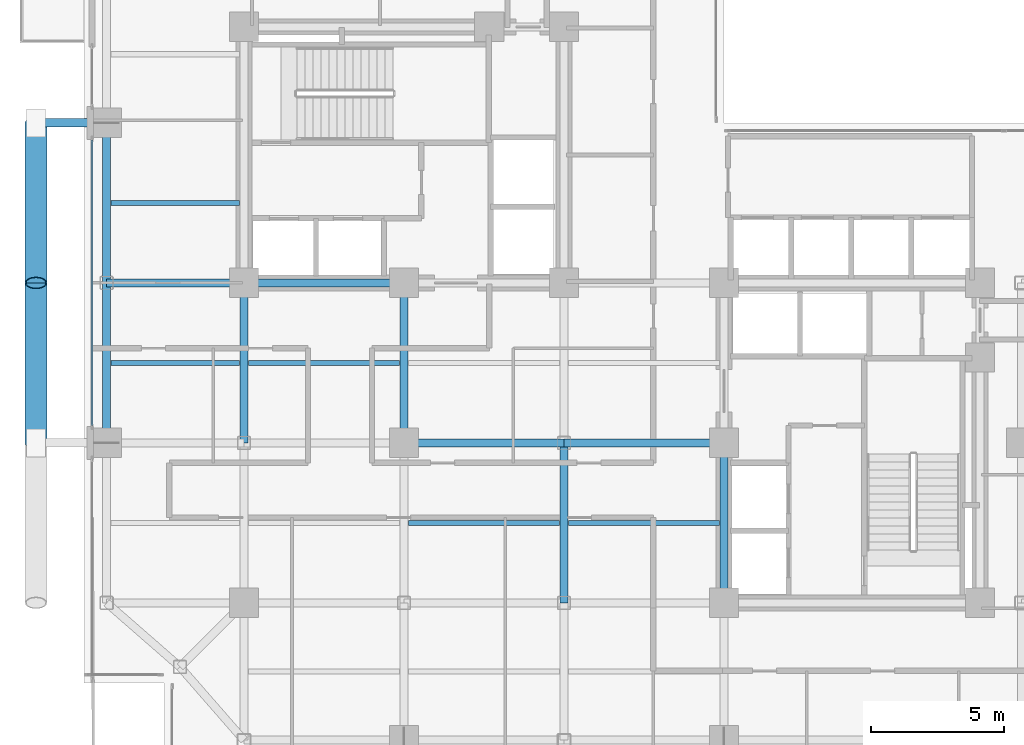
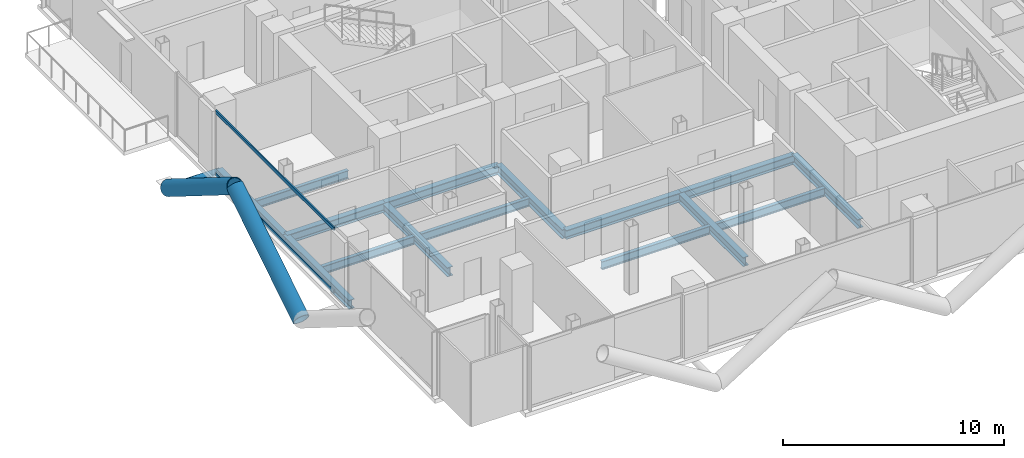
# One storey, part 6 of 28: 15 beams, 5 members, 1 element without a shape of its own.
"""IFC4 building model written with IfcOpenShell, lengths in metres."""

from ifc_helpers import new_model, si_unit, direction, frame, origin, origin_2d, place, context, subcontext, project, spatial, hollow_rectangle, hollow_circle, i_section, extrude, material, layer, layer_set, material_profile, profile_set, type_object, element, aggregate, save


model = new_model("IFC4")

# Units and contexts
model_context = context("Model", 3, precision=1e-05, world=origin(), true_north=direction((0.0, 1.0)))
body_context = subcontext(model_context, "Body", "Model", "MODEL_VIEW")
ifc_project = project(units=[si_unit("LENGTHUNIT", "METRE"), si_unit("AREAUNIT", "SQUARE_METRE"), si_unit("VOLUMEUNIT", "CUBIC_METRE"), si_unit("PLANEANGLEUNIT", "RADIAN"), si_unit("MASSUNIT", "GRAM", prefix="KILO"), si_unit("THERMODYNAMICTEMPERATUREUNIT", "KELVIN"), si_unit("POWERUNIT", "WATT")], contexts=[model_context])

# Site, building, storey
site_placement = place(None, origin())
site = spatial("IfcSite", under=ifc_project, at=site_placement, CompositionType="ELEMENT")
building_placement = place(site_placement, origin())
building = spatial("IfcBuilding", under=site, at=building_placement, Name="Svarakhadi Broadcast Tower", CompositionType="ELEMENT")
storey_placement = place(building_placement, frame((0.0, 0.0, 138.14990234375)))
storey = spatial("IfcBuildingStorey", under=building, at=storey_placement, Name="L33", CompositionType="ELEMENT", Elevation=138.14990234375)

# Beams
ifc_material_1 = material(Name="Steel S355J2 (IS 2062 E350C)", Category="steel")
ifc_material_profile_1 = material_profile(ifc_material_1, i_section(OverallWidth=0.18994140625, OverallDepth=0.449951171875, WebThickness=0.009521484375, FlangeThickness=0.0146484375, FilletRadius=0.02099609375, at=origin_2d()), Name="NPB 450x190x78")
ifc_profile_set_1 = profile_set([ifc_material_profile_1], Name="Steel S355J2 (IS 2062 E350C)")
beam_type_1 = type_object("IfcBeamType", Name="Beam_NPB450", PredefinedType="BEAM", material=ifc_profile_set_1)
for number, where, z_axis, x_axis, name in (
    (1, (1.010009765625, 15.0, -0.449951171875), (1.0, 0.0, 0.0), (0.0, 1.0, 0.0), "L33 Secondary Composite Beam SB002"),
    (2, (1.010009765625, 21.0, -0.449951171875), (1.0, 0.0, 0.0), (0.0, 1.0, 0.0), "L33 Secondary Composite Beam SB003"),
):
    element("IfcBeam", number, at=place(storey_placement, frame(where, z_axis=z_axis, x_axis=x_axis)), inside=storey, type_object=beam_type_1, Name=name, PredefinedType="BEAM", context=body_context, shape_type="SweptSolid", body=[
        extrude(i_section(OverallWidth=0.18994140625, OverallDepth=0.449951171875, WebThickness=0.009521484375, FlangeThickness=0.0146484375, FilletRadius=0.02099609375, at=origin_2d()), origin(), (0.0, 0.0, 1.0), 4.830078125),
    ])
for number, where, z_axis, x_axis, name in (
    (3, (6.159912109375, 15.0, -0.449951171875), (1.0, 0.0, 0.0), (0.0, 1.0, 0.0), "L33 Secondary Composite Beam SB008"),
    (4, (12.159912109375, 9.0, -0.449951171875), (1.0, 0.0, 0.0), (0.0, 1.0, 0.0), "L33 Secondary Composite Beam SB012"),
    (5, (18.159912109375, 9.0, -0.449951171875), (1.0, 0.0, 0.0), (0.0, 1.0, 0.0), "L33 Secondary Composite Beam SB017"),
):
    element("IfcBeam", number, at=place(storey_placement, frame(where, z_axis=z_axis, x_axis=x_axis)), inside=storey, type_object=beam_type_1, Name=name, PredefinedType="BEAM", context=body_context, shape_type="SweptSolid", body=[
        extrude(i_section(OverallWidth=0.18994140625, OverallDepth=0.449951171875, WebThickness=0.009521484375, FlangeThickness=0.0146484375, FilletRadius=0.02099609375, at=origin_2d()), origin(), (0.0, 0.0, 1.0), 5.68017578125),
    ])

# Curtain wall, members
ifc_material_2 = material(Name="Anodised Bronze Aluminium AA 6063-T6", Category="aluminium")
ifc_layer = layer(ifc_material_2, 0.199951171875)
ifc_layer_set = layer_set([ifc_layer], Name="Anodised Bronze Aluminium AA 6063-T6")
curtain_wall_type = type_object("IfcCurtainWallType", Name="CW_Sys_03", PredefinedType="NOTDEFINED", material=ifc_layer_set)
curtain_wall_placement = place(storey_placement, origin())
curtain_wall = element("IfcCurtainWall", 6, at=curtain_wall_placement, inside=storey, type_object=curtain_wall_type, Name="L33 West Curtain Wall 02 Bay 2", PredefinedType="NOTDEFINED")
ifc_material_profile_2 = material_profile(ifc_material_2, hollow_rectangle(XDim=0.070068359375, YDim=0.18505859375, WallThickness=0.0048828125, at=origin_2d()), Name="ALU TRANSOM 185x70x5")
ifc_profile_set_2 = profile_set([ifc_material_profile_2], Name="Anodised Bronze Aluminium AA 6063-T6")
member_type_1 = type_object("IfcMemberType", Name="CW_Sys_03_Trn", PredefinedType="USERDEFINED", material=ifc_profile_set_2)
member_1_placement = place(storey_placement, frame((0.300048828125, 12.64501953125, 0.03515625), z_axis=(0.0, 1.0, 0.0), x_axis=(-1.0, 0.0, 0.0)))
member_1 = element("IfcMember", 7, at=member_1_placement, type_object=member_type_1, Name="CW-03 transom 1.1", ObjectType="TRANSOM", PredefinedType="USERDEFINED", context=body_context, shape_type="SweptSolid", body=[
    extrude(hollow_rectangle(XDim=0.070068359375, YDim=0.18505859375, WallThickness=0.0048828125, at=origin_2d()), origin(), (0.0, 0.0, 1.0), 10.7099609375),
])
member_2_placement = place(storey_placement, frame((0.300048828125, 12.64501953125, 3.489990234375), z_axis=(0.0, 1.0, 0.0), x_axis=(-1.0, 0.0, 0.0)))
member_2 = element("IfcMember", 8, at=member_2_placement, type_object=member_type_1, Name="CW-03 transom 1.2", ObjectType="TRANSOM", PredefinedType="USERDEFINED", context=body_context, shape_type="SweptSolid", body=[
    extrude(hollow_rectangle(XDim=0.070068359375, YDim=0.18505859375, WallThickness=0.0048828125, at=origin_2d()), origin(), (0.0, 0.0, 1.0), 10.7099609375),
])
aggregate(curtain_wall, [member_1, member_2])

# Members
ifc_material_3 = material(Name="Steel S460ML (IS 2062 E450BR)", Category="steel")
ifc_material_profile_3 = material_profile(ifc_material_3, hollow_circle(Radius=0.406494140625, WallThickness=0.0400390625, at=origin_2d()), Name="CHS 813x40")
ifc_profile_set_3 = profile_set([ifc_material_profile_3], Name="Steel S460ML (IS 2062 E450BR)")
member_type_2 = type_object("IfcMemberType", Name="Exo_Brace_CHS813", PredefinedType="BRACE", material=ifc_profile_set_3)
for number, where, z_axis, x_axis, name in (
    (9, (-1.800048828125, 12.0, -0.386962890625), (0.0, 0.847998304005, 0.529998940003), (-1.0, 0.0, 0.0), "L33 Exposed Bronze Exoskeleton Diagonal W06"),
    (10, (-1.800048828125, 24.0, -0.386962890625), (0.0, -0.847998304005, 0.529998940003), (1.0, 0.0, 0.0), "L33 Exposed Bronze Exoskeleton Diagonal W07"),
):
    element("IfcMember", number, at=place(storey_placement, frame(where, z_axis=z_axis, x_axis=x_axis)), inside=storey, type_object=member_type_2, Name=name, PredefinedType="BRACE", context=body_context, shape_type="SweptSolid", body=[
        extrude(hollow_circle(Radius=0.406494140625, WallThickness=0.0400390625, at=origin_2d()), origin(), (0.0, 0.0, 1.0), 7.075439453125),
    ])
ifc_material_profile_4 = material_profile(ifc_material_3, hollow_circle(Radius=0.161865234375, WallThickness=0.01611328125, at=origin_2d()), Name="CHS 323.9x16")
ifc_profile_set_4 = profile_set([ifc_material_profile_4], Name="Steel S460ML (IS 2062 E450BR)")
member_type_3 = type_object("IfcMemberType", Name="Exo_Radial_Strut_Z2", PredefinedType="STRUT", material=ifc_profile_set_4)
member_3_placement = place(storey_placement, frame((-1.800048828125, 24.0, -0.386962890625), z_axis=(1.0, 0.0, 0.0), x_axis=(0.0, 1.0, 0.0)))
element("IfcMember", 11, at=member_3_placement, inside=storey, type_object=member_type_3, Name="L33 Exoskeleton Radial Tie Strut W04", PredefinedType="STRUT", context=body_context, shape_type="SweptSolid", body=[
    extrude(hollow_circle(Radius=0.161865234375, WallThickness=0.01611328125, at=origin_2d()), origin(), (0.0, 0.0, 1.0), 2.650146484375),
])

# Beams
ifc_material_profile_5 = material_profile(ifc_material_1, i_section(OverallWidth=0.300048828125, OverallDepth=0.5, WebThickness=0.014404296875, FlangeThickness=0.028076171875, FilletRadius=0.027099609375, at=origin_2d()), Name="WPB 500x300x187")
ifc_profile_set_5 = profile_set([ifc_material_profile_5], Name="Steel S355J2 (IS 2062 E350C)")
beam_type_2 = type_object("IfcBeamType", Name="Girder_WPB500", PredefinedType="USERDEFINED", material=ifc_profile_set_5)
for number, where, z_axis, x_axis, name in (
    (12, (12.0, 12.0, -0.474853515625), (1.0, 0.0, 0.0), (0.0, 1.0, 0.0), "L33 Primary E-W Girder G019"),
    (13, (18.0, 12.0, -0.474853515625), (1.0, 0.0, 0.0), (0.0, 1.0, 0.0), "L33 Primary E-W Girder G020"),
):
    element("IfcBeam", number, at=place(storey_placement, frame(where, z_axis=z_axis, x_axis=x_axis)), inside=storey, type_object=beam_type_2, Name=name, ObjectType="GIRDER", PredefinedType="USERDEFINED", context=body_context, shape_type="SweptSolid", body=[
        extrude(i_section(OverallWidth=0.300048828125, OverallDepth=0.5, WebThickness=0.014404296875, FlangeThickness=0.028076171875, FilletRadius=0.027099609375, at=origin_2d()), origin(), (0.0, 0.0, 1.0), 6.0),
    ])
beam_placement = place(storey_placement, frame((0.85009765625, 18.0, -0.474853515625), z_axis=(1.0, 0.0, 0.0), x_axis=(0.0, 1.0, 0.0)))
element("IfcBeam", 14, at=beam_placement, inside=storey, type_object=beam_type_2, Name="L33 Primary E-W Girder G023", ObjectType="GIRDER", PredefinedType="USERDEFINED", context=body_context, shape_type="SweptSolid", body=[
    extrude(i_section(OverallWidth=0.300048828125, OverallDepth=0.5, WebThickness=0.014404296875, FlangeThickness=0.028076171875, FilletRadius=0.027099609375, at=origin_2d()), origin(), (0.0, 0.0, 1.0), 5.14990234375),
])
for number, where, z_axis, x_axis, name in (
    (15, (6.0, 18.0, -0.474853515625), (1.0, 0.0, 0.0), (0.0, 1.0, 0.0), "L33 Primary E-W Girder G024"),
    (16, (0.85009765625, 12.0, -0.474853515625), (0.0, 1.0, 0.0), (-1.0, 0.0, 0.0), "L33 Primary N-S Girder G041"),
    (17, (0.85009765625, 18.0, -0.474853515625), (0.0, 1.0, 0.0), (-1.0, 0.0, 0.0), "L33 Primary N-S Girder G042"),
    (18, (6.0, 12.0, -0.474853515625), (0.0, 1.0, 0.0), (-1.0, 0.0, 0.0), "L33 Primary N-S Girder G047"),
    (19, (12.0, 12.0, -0.474853515625), (0.0, 1.0, 0.0), (-1.0, 0.0, 0.0), "L33 Primary N-S Girder G053"),
    (20, (18.0, 6.0, -0.474853515625), (0.0, 1.0, 0.0), (-1.0, 0.0, 0.0), "L33 Primary N-S Girder G057"),
    (21, (24.0, 6.0, -0.474853515625), (0.0, 1.0, 0.0), (-1.0, 0.0, 0.0), "L33 Primary N-S Girder G063"),
):
    element("IfcBeam", number, at=place(storey_placement, frame(where, z_axis=z_axis, x_axis=x_axis)), inside=storey, type_object=beam_type_2, Name=name, ObjectType="GIRDER", PredefinedType="USERDEFINED", context=body_context, shape_type="SweptSolid", body=[
        extrude(i_section(OverallWidth=0.300048828125, OverallDepth=0.5, WebThickness=0.014404296875, FlangeThickness=0.028076171875, FilletRadius=0.027099609375, at=origin_2d()), origin(), (0.0, 0.0, 1.0), 6.0),
    ])

save(model, "model.ifc")
